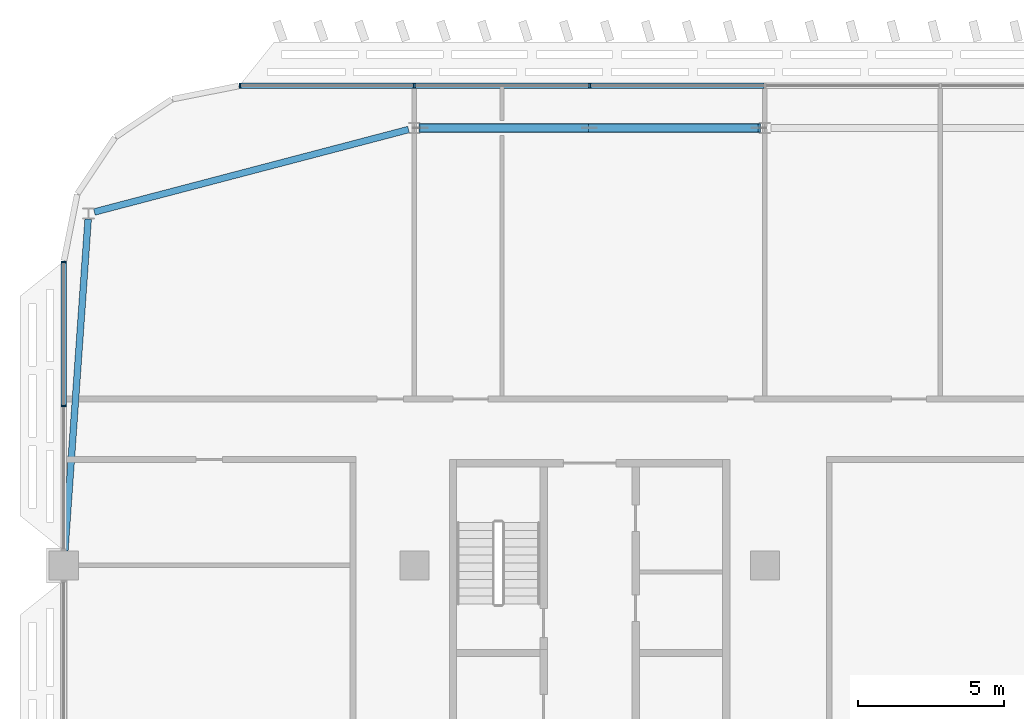
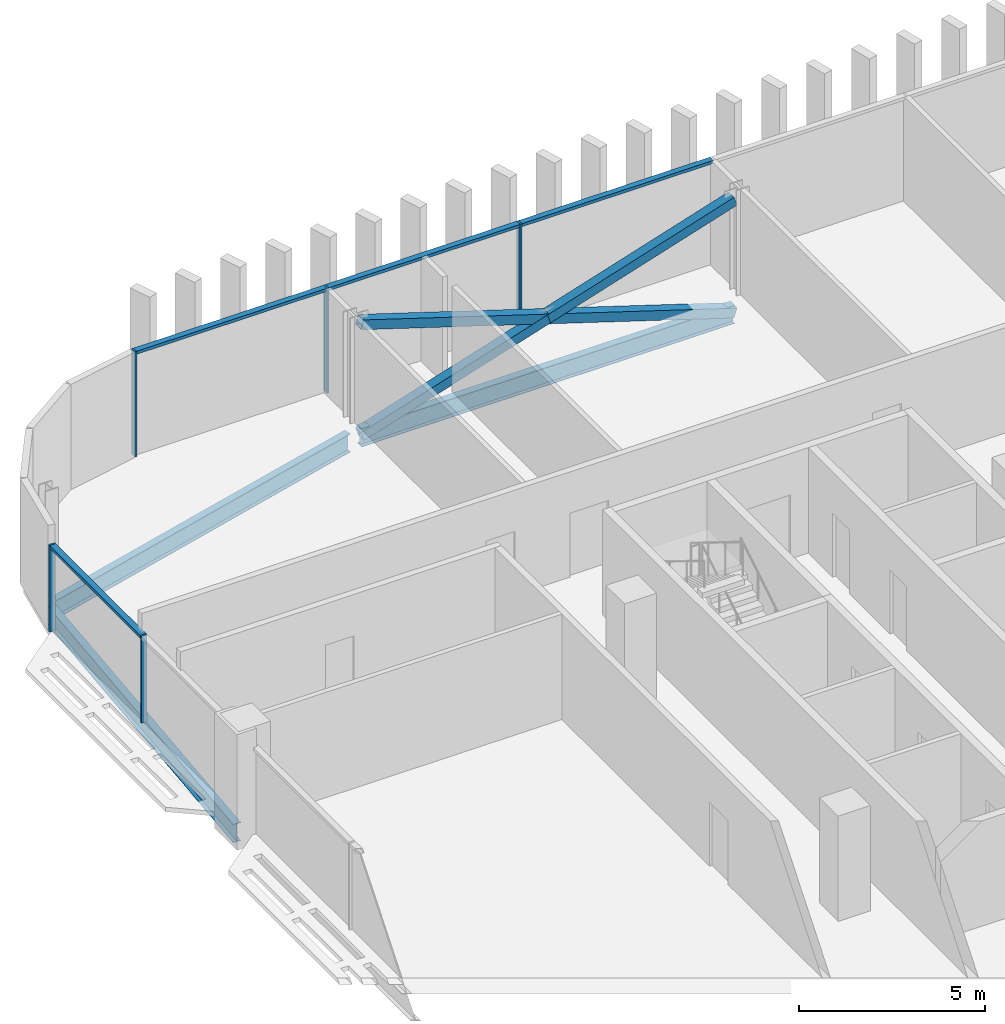
# One storey, part 9 of 32: 12 members, 3 beams, 2 elements without a shape of their own.
"""IFC4 building model written with IfcOpenShell, lengths in metres."""

from ifc_helpers import new_model, si_unit, direction, frame, origin, origin_2d, place, context, subcontext, project, spatial, rectangle, hollow_rectangle, i_section, extrude, material, material_profile, profile_set, type_object, element, aggregate, save


model = new_model("IFC4")

# Units and contexts
model_context = context("Model", 3, precision=1e-05, world=origin(), true_north=direction((0.0, 1.0)))
body_context = subcontext(model_context, "Body", "Model", "MODEL_VIEW")
ifc_project = project(units=[si_unit("LENGTHUNIT", "METRE"), si_unit("AREAUNIT", "SQUARE_METRE"), si_unit("VOLUMEUNIT", "CUBIC_METRE"), si_unit("PLANEANGLEUNIT", "RADIAN"), si_unit("MASSUNIT", "GRAM", prefix="KILO")], contexts=[model_context])

# Site, building, storey
site_placement = place(None, origin())
site = spatial("IfcSite", under=ifc_project, at=site_placement, CompositionType="ELEMENT")
building_placement = place(site_placement, origin())
building = spatial("IfcBuilding", under=site, at=building_placement, Name="Mahtab Terrace Research Tower", CompositionType="ELEMENT")
storey_placement = place(building_placement, frame((0.0, 0.0, 240.0)))
storey = spatial("IfcBuildingStorey", under=building, at=storey_placement, Name="L58", CompositionType="ELEMENT", Elevation=240.0)

# Members
ifc_material_1 = material(Name="Steel ASTM A500 Gr C", Category="steel")
ifc_material_profile_1 = material_profile(ifc_material_1, hollow_rectangle(XDim=0.3046875, YDim=0.3046875, WallThickness=0.015869140625, at=origin_2d()), Name="HSS12X12X5/8")
ifc_profile_set_1 = profile_set([ifc_material_profile_1], Name="Steel ASTM A500 Gr C")
member_type_1 = type_object("IfcMemberType", Name="HSS 12x12x5/8 brace XB121258", PredefinedType="BRACE", material=ifc_profile_set_1)
member_1_placement = place(storey_placement, frame((-18.199462890625, 26.472900390625, -0.580322265625), z_axis=(-0.953344342533, 0.0, 0.301885018774), x_axis=(0.0, -1.0, 0.0)))
element("IfcMember", 1, at=member_1_placement, inside=storey, type_object=member_type_1, Name="Exoskeleton brace L58 07 a", PredefinedType="BRACE", context=body_context, shape_type="SweptSolid", body=[
    extrude(hollow_rectangle(XDim=0.3046875, YDim=0.3046875, WallThickness=0.015869140625, at=origin_2d()), origin(), (0.0, 0.0, 1.0), 12.168701171875),
])
for number, where, z_axis, x_axis, name in (
    (2, (-29.800537109375, 26.472900390625, -0.580322265625), (0.953350116476, 0.0, 0.301866784219), (0.0, 1.0, 0.0), "Exoskeleton brace L58 07 b1"),
    (3, (-24.0, 26.472900390625, 1.25634765625), (0.953338568311, 0.0, 0.301903252998), (0.0, 1.0, 0.0), "Exoskeleton brace L58 07 b2"),
):
    element("IfcMember", number, at=place(storey_placement, frame(where, z_axis=z_axis, x_axis=x_axis)), inside=storey, type_object=member_type_1, Name=name, PredefinedType="BRACE", context=body_context, shape_type="SweptSolid", body=[
        extrude(hollow_rectangle(XDim=0.3046875, YDim=0.3046875, WallThickness=0.015869140625, at=origin_2d()), origin(), (0.0, 0.0, 1.0), 6.08447265625),
    ])

# Curtain wall, members
ifc_material_2 = material(Name="Office ribbon curtain wall")
curtain_wall_type = type_object("IfcCurtainWallType", Name="Office ribbon curtain wall", PredefinedType="NOTDEFINED", material=ifc_material_2)
curtain_wall_1_placement = place(storey_placement, origin())
curtain_wall_1 = element("IfcCurtainWall", 4, at=curtain_wall_1_placement, inside=storey, type_object=curtain_wall_type, Name="EN.L58.3.3", PredefinedType="NOTDEFINED")
ifc_material_3 = material(Name="Natural anodised aluminium", Category="aluminium")
ifc_material_profile_2 = material_profile(ifc_material_3, rectangle(XDim=0.179931640625, YDim=0.06005859375, at=origin_2d()), Name="MULLION 60x180")
ifc_profile_set_2 = profile_set([ifc_material_profile_2], Name="Natural anodised aluminium")
member_type_2 = type_object("IfcMemberType", Name="Office ribbon curtain wall mullion", PredefinedType="MULLION", material=ifc_profile_set_2)
member_2_placement = place(storey_placement, frame((-24.0, 27.9169921875, 0.0), z_axis=(0.0, 0.0, 1.0), x_axis=(0.0, -1.0, 0.0)))
member_2 = element("IfcMember", 5, at=member_2_placement, type_object=member_type_2, Name="CWO-7 mullion 13", PredefinedType="MULLION", context=body_context, shape_type="SweptSolid", body=[
    extrude(rectangle(XDim=0.179931640625, YDim=0.06005859375, at=origin_2d()), origin(), (0.0, 0.0, 1.0), 3.4599609375),
])
member_3_placement = place(storey_placement, frame((-30.0, 27.9169921875, 0.0), z_axis=(0.0, 0.0, 1.0), x_axis=(0.0, -1.0, 0.0)))
member_3 = element("IfcMember", 6, at=member_3_placement, type_object=member_type_2, Name="CWO-7 mullion 14", PredefinedType="MULLION", context=body_context, shape_type="SweptSolid", body=[
    extrude(rectangle(XDim=0.179931640625, YDim=0.06005859375, at=origin_2d()), origin(), (0.0, 0.0, 1.0), 3.4599609375),
])
member_4_placement = place(storey_placement, frame((-35.969970703125, 27.9169921875, 0.0), z_axis=(0.0, 0.0, 1.0), x_axis=(0.0, -1.0, 0.0)))
member_4 = element("IfcMember", 7, at=member_4_placement, type_object=member_type_2, Name="CWO-7 mullion 15", PredefinedType="MULLION", context=body_context, shape_type="SweptSolid", body=[
    extrude(rectangle(XDim=0.179931640625, YDim=0.06005859375, at=origin_2d()), origin(), (0.0, 0.0, 1.0), 3.4599609375),
])

curtain_wall_2_placement = place(storey_placement, origin())
curtain_wall_2 = element("IfcCurtainWall", 8, at=curtain_wall_2_placement, inside=storey, type_object=curtain_wall_type, Name="EN.L58.8.8", PredefinedType="NOTDEFINED")
member_5_placement = place(storey_placement, frame((-42.0, 21.886962890625, 0.0), z_axis=(0.0, 0.0, 1.0), x_axis=(1.0, 0.0, 0.0)))
member_5 = element("IfcMember", 9, at=member_5_placement, type_object=member_type_2, Name="CWO-7 mullion 1", PredefinedType="MULLION", context=body_context, shape_type="SweptSolid", body=[
    extrude(rectangle(XDim=0.179931640625, YDim=0.06005859375, at=origin_2d()), origin(), (0.0, 0.0, 1.0), 2.852783203125),
])
member_6_placement = place(storey_placement, frame((-42.0, 16.95849609375, 0.0), z_axis=(0.0, 0.0, 1.0), x_axis=(1.0, 0.0, 0.0)))
member_6 = element("IfcMember", 10, at=member_6_placement, type_object=member_type_2, Name="CWO-7 mullion 2", PredefinedType="MULLION", context=body_context, shape_type="SweptSolid", body=[
    extrude(rectangle(XDim=0.179931640625, YDim=0.06005859375, at=origin_2d()), origin(), (0.0, 0.0, 1.0), 2.852783203125),
])

# Member
ifc_material_profile_3 = material_profile(ifc_material_3, rectangle(XDim=0.179931640625, YDim=0.10009765625, at=origin_2d()), Name="TRANSOM 100x180")
ifc_profile_set_3 = profile_set([ifc_material_profile_3], Name="Natural anodised aluminium")
member_type_3 = type_object("IfcMemberType", Name="Office ribbon curtain wall transom", PredefinedType="USERDEFINED", material=ifc_profile_set_3)
member_7_placement = place(storey_placement, frame((-18.030029296875, 27.9169921875, 3.409912109375), z_axis=(-1.0, 0.0, 0.0), x_axis=(0.0, -1.0, 0.0)))
member_7 = element("IfcMember", 11, at=member_7_placement, type_object=member_type_3, Name="CWO-7 transom 12", ObjectType="TRANSOM", PredefinedType="USERDEFINED", context=body_context, shape_type="SweptSolid", body=[
    extrude(rectangle(XDim=0.179931640625, YDim=0.10009765625, at=origin_2d()), origin(), (0.0, 0.0, 1.0), 5.93994140625),
])

member_8_placement = place(storey_placement, frame((-24.030029296875, 27.9169921875, 3.409912109375), z_axis=(-1.0, 0.0, 0.0), x_axis=(0.0, -1.0, 0.0)))
member_8 = element("IfcMember", 12, at=member_8_placement, type_object=member_type_3, Name="CWO-7 transom 13", ObjectType="TRANSOM", PredefinedType="USERDEFINED", context=body_context, shape_type="SweptSolid", body=[
    extrude(rectangle(XDim=0.179931640625, YDim=0.10009765625, at=origin_2d()), origin(), (0.0, 0.0, 1.0), 5.93994140625),
])

member_9_placement = place(storey_placement, frame((-30.030029296875, 27.9169921875, 3.409912109375), z_axis=(-1.0, 0.0, 0.0), x_axis=(0.0, -1.0, 0.0)))
member_9 = element("IfcMember", 13, at=member_9_placement, type_object=member_type_3, Name="CWO-7 transom 14", ObjectType="TRANSOM", PredefinedType="USERDEFINED", context=body_context, shape_type="SweptSolid", body=[
    extrude(rectangle(XDim=0.179931640625, YDim=0.10009765625, at=origin_2d()), origin(), (0.0, 0.0, 1.0), 5.909912109375),
])

aggregate(curtain_wall_1, [member_2, member_3, member_4, member_7, member_8, member_9])

member_10_placement = place(storey_placement, frame((-42.0, 21.85693359375, 2.802978515625), z_axis=(0.0, -1.0, 0.0), x_axis=(1.0, 0.0, 0.0)))
member_10 = element("IfcMember", 14, at=member_10_placement, type_object=member_type_3, Name="CWO-7 transom 1", ObjectType="TRANSOM", PredefinedType="USERDEFINED", context=body_context, shape_type="SweptSolid", body=[
    extrude(rectangle(XDim=0.179931640625, YDim=0.10009765625, at=origin_2d()), origin(), (0.0, 0.0, 1.0), 4.868408203125),
])

aggregate(curtain_wall_2, [member_5, member_6, member_10])

# Beams
ifc_material_4 = material(Name="Steel ASTM A992 Gr 50", Category="steel")
ifc_material_profile_4 = material_profile(ifc_material_4, i_section(OverallWidth=0.228271484375, OverallDepth=0.607177734375, WebThickness=0.01123046875, FlangeThickness=0.017333984375, at=origin_2d()), Name="W24X76")
ifc_profile_set_4 = profile_set([ifc_material_profile_4], Name="Steel ASTM A992 Gr 50")
beam_type = type_object("IfcBeamType", Name="W24x76 beam BS2476", PredefinedType="BEAM", material=ifc_profile_set_4)
beam_1_placement = place(storey_placement, frame((-18.199462890625, 26.472900390625, -0.6435546875), z_axis=(-1.0, 0.0, 0.0), x_axis=(0.0, -1.0, 0.0)))
element("IfcBeam", 15, at=beam_1_placement, inside=storey, type_object=beam_type, Name="Spandrel beam L58 07", PredefinedType="BEAM", context=body_context, shape_type="SweptSolid", body=[
    extrude(i_section(OverallWidth=0.228271484375, OverallDepth=0.607177734375, WebThickness=0.01123046875, FlangeThickness=0.017333984375, at=origin_2d()), origin(), (0.0, 0.0, 1.0), 11.60107421875),
])
beam_2_placement = place(storey_placement, frame((-30.199462890625, 26.420654296875, -0.6435546875), z_axis=(-0.967252058434, -0.253817760323, 0.0), x_axis=(0.253817760323, -0.967252058434, 0.0)))
element("IfcBeam", 16, at=beam_2_placement, inside=storey, type_object=beam_type, Name="Spandrel beam L58 08", PredefinedType="BEAM", context=body_context, shape_type="SweptSolid", body=[
    extrude(i_section(OverallWidth=0.228271484375, OverallDepth=0.607177734375, WebThickness=0.01123046875, FlangeThickness=0.017333984375, at=origin_2d()), origin(), (0.0, 0.0, 1.0), 11.119140625),
])
beam_3_placement = place(storey_placement, frame((-41.16748046875, 23.35302734375, -0.6435546875), z_axis=(-0.070060954326, -0.997542712208, 0.0), x_axis=(0.997542712208, -0.070060954326, 0.0)))
element("IfcBeam", 17, at=beam_3_placement, inside=storey, type_object=beam_type, Name="Spandrel beam L58 09", PredefinedType="BEAM", context=body_context, shape_type="SweptSolid", body=[
    extrude(i_section(OverallWidth=0.228271484375, OverallDepth=0.607177734375, WebThickness=0.01123046875, FlangeThickness=0.017333984375, at=origin_2d()), origin(), (0.0, 0.0, 1.0), 11.381103515625),
])

save(model, "model.ifc")
